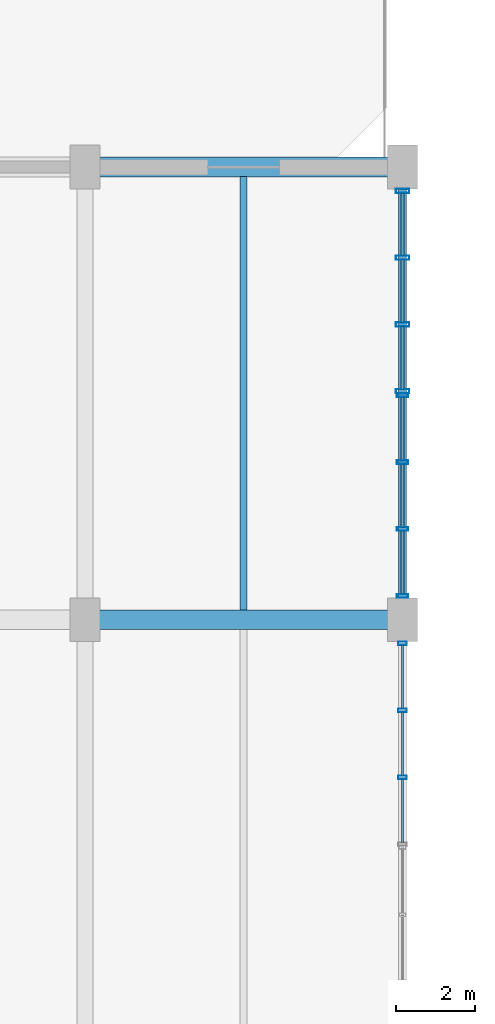
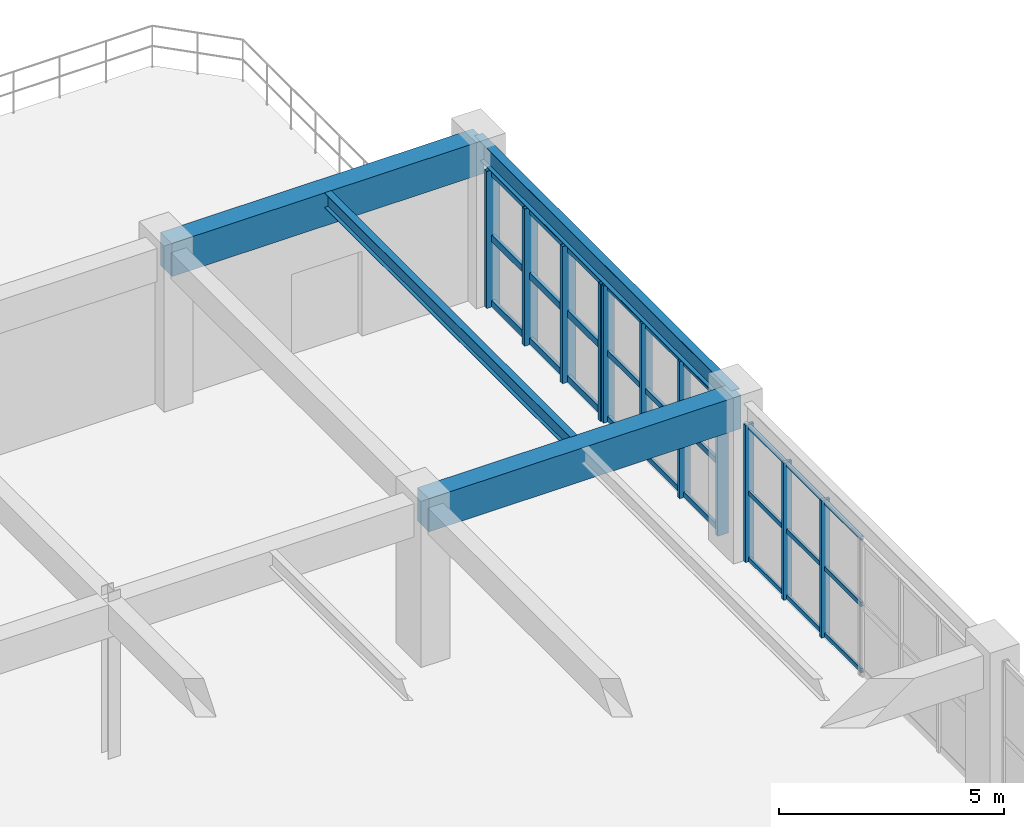
# One storey, part 36 of 80: 38 members, 4 beams, 3 elements without a shape of their own.
"""IFC4 building model written with IfcOpenShell, lengths in metres."""

from ifc_helpers import new_model, si_unit, direction, frame, origin, origin_2d, place, context, subcontext, project, spatial, rectangle, hollow_rectangle, i_section, extrude, material, layer, layer_set, material_profile, profile_set, type_object, element, aggregate, save


model = new_model("IFC4")

# Units and contexts
model_context = context("Model", 3, precision=1e-05, world=origin(), true_north=direction((0.0, 1.0)))
body_context = subcontext(model_context, "Body", "Model", "MODEL_VIEW")
ifc_project = project(units=[si_unit("LENGTHUNIT", "METRE"), si_unit("AREAUNIT", "SQUARE_METRE"), si_unit("VOLUMEUNIT", "CUBIC_METRE"), si_unit("PLANEANGLEUNIT", "RADIAN"), si_unit("MASSUNIT", "GRAM", prefix="KILO"), si_unit("POWERUNIT", "WATT"), si_unit("THERMODYNAMICTEMPERATUREUNIT", "KELVIN")], contexts=[model_context])

# Site, building, storey
site_placement = place(None, origin())
site = spatial("IfcSite", under=ifc_project, at=site_placement, CompositionType="ELEMENT")
building_placement = place(site_placement, origin())
building = spatial("IfcBuilding", under=site, at=building_placement, Name="Kelmbourne Parkland Aquatics Centre", CompositionType="ELEMENT")
storey_placement = place(building_placement, frame((0.0, 0.0, 10.199951171875)))
storey = spatial("IfcBuildingStorey", under=building, at=storey_placement, Name="L02", CompositionType="ELEMENT", Elevation=10.199951171875)

# Beams
ifc_material_1 = material(Name="Concrete C40/50", Category="concrete")
ifc_material_profile_1 = material_profile(ifc_material_1, rectangle(XDim=0.5, YDim=0.89990234375, at=origin_2d()), Name="RC 500x900")
ifc_profile_set_1 = profile_set([ifc_material_profile_1], Name="Concrete C40/50")
beam_type_1 = type_object("IfcBeamType", Name="BM-G03", PredefinedType="BEAM", material=ifc_profile_set_1)
for number, where, z_axis, x_axis, name in (
    (1, (32.0, 69.199951171875, 3.81005859375), (1.0, 0.0, 0.0), (0.0, 1.0, 0.0), "Primary girder E-F Grid 10 (L03)"),
    (2, (32.0, 80.60009765625, 3.81005859375), (1.0, 0.0, 0.0), (0.0, 1.0, 0.0), "Primary girder E-F Grid 11 (L03)"),
):
    element("IfcBeam", number, at=place(storey_placement, frame(where, z_axis=z_axis, x_axis=x_axis)), inside=storey, type_object=beam_type_1, Name=name, PredefinedType="BEAM", context=body_context, shape_type="SweptSolid", body=[
        extrude(rectangle(XDim=0.5, YDim=0.89990234375, at=origin_2d()), origin(), (0.0, 0.0, 1.0), 8.0),
    ])
ifc_material_2 = material(Name="Structural steel AS/NZS 3679.1 Grade 300", Category="steel")
ifc_material_profile_2 = material_profile(ifc_material_2, i_section(OverallWidth=0.177978515625, OverallDepth=0.406005859375, WebThickness=0.0078125, FlangeThickness=0.0126953125, at=origin_2d()), Name="410UB59.7")
ifc_profile_set_2 = profile_set([ifc_material_profile_2], Name="Structural steel AS/NZS 3679.1 Grade 300")
beam_type_2 = type_object("IfcBeamType", Name="BM-J01", PredefinedType="JOIST", material=ifc_profile_set_2)
beam_1_placement = place(storey_placement, frame((36.0, 69.44189453125, 4.05712890625), z_axis=(0.0, 1.0, 0.0), x_axis=(-1.0, 0.0, 0.0)))
element("IfcBeam", 3, at=beam_1_placement, inside=storey, type_object=beam_type_2, Name="Secondary floor joist E-F/10-11 #1 (L03)", PredefinedType="JOIST", context=body_context, shape_type="SweptSolid", body=[
    extrude(i_section(OverallWidth=0.177978515625, OverallDepth=0.406005859375, WebThickness=0.0078125, FlangeThickness=0.0126953125, at=origin_2d()), origin(), (0.0, 0.0, 1.0), 10.916015625),
])
ifc_material_profile_3 = material_profile(ifc_material_2, i_section(OverallWidth=0.208984375, OverallDepth=0.532958984375, WebThickness=0.01025390625, FlangeThickness=0.015625, at=origin_2d()), Name="530UB92.4")
ifc_profile_set_3 = profile_set([ifc_material_profile_3], Name="Structural steel AS/NZS 3679.1 Grade 300")
beam_type_3 = type_object("IfcBeamType", Name="BM-SP02", PredefinedType="SPANDREL", material=ifc_profile_set_3)
beam_2_placement = place(storey_placement, frame((40.0, 69.199951171875, 3.99365234375), z_axis=(0.0, 1.0, 0.0), x_axis=(-1.0, 0.0, 0.0)))
element("IfcBeam", 4, at=beam_2_placement, inside=storey, type_object=beam_type_3, Name="Perimeter spandrel 10-11 Grid F (L03)", PredefinedType="SPANDREL", context=body_context, shape_type="SweptSolid", body=[
    extrude(i_section(OverallWidth=0.208984375, OverallDepth=0.532958984375, WebThickness=0.01025390625, FlangeThickness=0.015625, at=origin_2d()), origin(), (0.0, 0.0, 1.0), 11.400146484375),
])

# Curtain wall, members
ifc_material_3 = material(Name="Thermally broken anodised aluminium framing", Category="aluminium")
ifc_layer_1 = layer(ifc_material_3, 0.179931640625)
ifc_layer_set_1 = layer_set([ifc_layer_1], Name="Thermally broken anodised aluminium framing")
curtain_wall_type_1 = type_object("IfcCurtainWallType", Name="CW-12", PredefinedType="NOTDEFINED", material=ifc_layer_set_1)
curtain_wall_1_placement = place(storey_placement, origin())
curtain_wall_1 = element("IfcCurtainWall", 5, at=curtain_wall_1_placement, inside=storey, type_object=curtain_wall_type_1, Name="Facade curtain wall CW-L02-252", PredefinedType="NOTDEFINED")
ifc_material_profile_4 = material_profile(ifc_material_3, hollow_rectangle(XDim=0.0849609375, YDim=0.219970703125, WallThickness=0.0048828125, at=origin_2d()), Name="CW-M 85x220")
ifc_profile_set_4 = profile_set([ifc_material_profile_4], Name="Thermally broken anodised aluminium framing")
member_type_1 = type_object("IfcMemberType", Name="MB-MUL-3", PredefinedType="MULLION", material=ifc_profile_set_4)
member_1_placement = place(storey_placement, frame((40.0, 65.230224609375, 0.0), z_axis=(0.0, 0.0, 1.0), x_axis=(0.0, 1.0, 0.0)))
member_1 = element("IfcMember", 6, at=member_1_placement, type_object=member_type_1, Name="CW-L02-252 mullion 1", PredefinedType="MULLION", context=body_context, shape_type="SweptSolid", body=[
    extrude(hollow_rectangle(XDim=0.0849609375, YDim=0.219970703125, WallThickness=0.0048828125, at=origin_2d()), origin(), (0.0, 0.0, 1.0), 3.712158203125),
])
member_2_placement = place(storey_placement, frame((40.0, 66.917724609375, 0.0), z_axis=(0.0, 0.0, 1.0), x_axis=(0.0, 1.0, 0.0)))
member_2 = element("IfcMember", 7, at=member_2_placement, type_object=member_type_1, Name="CW-L02-252 mullion 2", PredefinedType="MULLION", context=body_context, shape_type="SweptSolid", body=[
    extrude(hollow_rectangle(XDim=0.0849609375, YDim=0.219970703125, WallThickness=0.0048828125, at=origin_2d()), origin(), (0.0, 0.0, 1.0), 3.712158203125),
])
member_3_placement = place(storey_placement, frame((40.0, 68.60546875, 0.0), z_axis=(0.0, 0.0, 1.0), x_axis=(0.0, 1.0, 0.0)))
member_3 = element("IfcMember", 8, at=member_3_placement, type_object=member_type_1, Name="CW-L02-252 mullion 3", PredefinedType="MULLION", context=body_context, shape_type="SweptSolid", body=[
    extrude(hollow_rectangle(XDim=0.0849609375, YDim=0.219970703125, WallThickness=0.0048828125, at=origin_2d()), origin(), (0.0, 0.0, 1.0), 3.712158203125),
])

ifc_layer_2 = layer(ifc_material_3, 0.179931640625)
ifc_layer_set_2 = layer_set([ifc_layer_2], Name="Thermally broken anodised aluminium framing")
curtain_wall_type_2 = type_object("IfcCurtainWallType", Name="CW-13", PredefinedType="NOTDEFINED", material=ifc_layer_set_2)
curtain_wall_2_placement = place(storey_placement, origin())
curtain_wall_2 = element("IfcCurtainWall", 9, at=curtain_wall_2_placement, inside=storey, type_object=curtain_wall_type_2, Name="Facade curtain wall CW-L02-253", PredefinedType="NOTDEFINED")
ifc_material_profile_5 = material_profile(ifc_material_3, hollow_rectangle(XDim=0.094970703125, YDim=0.280029296875, WallThickness=0.005615234375, at=origin_2d()), Name="CW-M 95x280")
ifc_profile_set_5 = profile_set([ifc_material_profile_5], Name="Thermally broken anodised aluminium framing")
member_type_2 = type_object("IfcMemberType", Name="MB-MUL-4", PredefinedType="MULLION", material=ifc_profile_set_5)
member_4_placement = place(storey_placement, frame((40.0, 69.799560546875, 0.0), z_axis=(0.0, 0.0, 1.0), x_axis=(0.0, 1.0, 0.0)))
member_4 = element("IfcMember", 10, at=member_4_placement, type_object=member_type_2, Name="CW-L02-253 mullion 0", PredefinedType="MULLION", context=body_context, shape_type="SweptSolid", body=[
    extrude(hollow_rectangle(XDim=0.094970703125, YDim=0.280029296875, WallThickness=0.005615234375, at=origin_2d()), origin(), (0.0, 0.0, 1.0), 3.712158203125),
])
member_5_placement = place(storey_placement, frame((40.0, 71.48388671875, 0.0), z_axis=(0.0, 0.0, 1.0), x_axis=(0.0, 1.0, 0.0)))
member_5 = element("IfcMember", 11, at=member_5_placement, type_object=member_type_2, Name="CW-L02-253 mullion 1", PredefinedType="MULLION", context=body_context, shape_type="SweptSolid", body=[
    extrude(hollow_rectangle(XDim=0.094970703125, YDim=0.280029296875, WallThickness=0.005615234375, at=origin_2d()), origin(), (0.0, 0.0, 1.0), 3.712158203125),
])
member_6_placement = place(storey_placement, frame((40.0, 73.168212890625, 0.0), z_axis=(0.0, 0.0, 1.0), x_axis=(0.0, 1.0, 0.0)))
member_6 = element("IfcMember", 12, at=member_6_placement, type_object=member_type_2, Name="CW-L02-253 mullion 2", PredefinedType="MULLION", context=body_context, shape_type="SweptSolid", body=[
    extrude(hollow_rectangle(XDim=0.094970703125, YDim=0.280029296875, WallThickness=0.005615234375, at=origin_2d()), origin(), (0.0, 0.0, 1.0), 3.712158203125),
])
member_7_placement = place(storey_placement, frame((40.0, 74.8525390625, 0.0), z_axis=(0.0, 0.0, 1.0), x_axis=(0.0, 1.0, 0.0)))
member_7 = element("IfcMember", 13, at=member_7_placement, type_object=member_type_2, Name="CW-L02-253 mullion 3", PredefinedType="MULLION", context=body_context, shape_type="SweptSolid", body=[
    extrude(hollow_rectangle(XDim=0.094970703125, YDim=0.280029296875, WallThickness=0.005615234375, at=origin_2d()), origin(), (0.0, 0.0, 1.0), 3.712158203125),
])

ifc_layer_3 = layer(ifc_material_3, 0.179931640625)
ifc_layer_set_3 = layer_set([ifc_layer_3], Name="Thermally broken anodised aluminium framing")
curtain_wall_type_3 = type_object("IfcCurtainWallType", Name="CW-14", PredefinedType="NOTDEFINED", material=ifc_layer_set_3)
curtain_wall_3_placement = place(storey_placement, origin())
curtain_wall_3 = element("IfcCurtainWall", 14, at=curtain_wall_3_placement, inside=storey, type_object=curtain_wall_type_3, Name="Facade curtain wall CW-L02-254", PredefinedType="NOTDEFINED")
ifc_material_profile_6 = material_profile(ifc_material_3, hollow_rectangle(XDim=0.10498046875, YDim=0.340087890625, WallThickness=0.006103515625, at=origin_2d()), Name="CW-M 105x340")
ifc_profile_set_6 = profile_set([ifc_material_profile_6], Name="Thermally broken anodised aluminium framing")
member_type_3 = type_object("IfcMemberType", Name="MB-MUL-5", PredefinedType="MULLION", material=ifc_profile_set_6)
member_8_placement = place(storey_placement, frame((40.0, 74.952392578125, 0.0), z_axis=(0.0, 0.0, 1.0), x_axis=(0.0, 1.0, 0.0)))
member_8 = element("IfcMember", 15, at=member_8_placement, type_object=member_type_3, Name="CW-L02-254 mullion 0", PredefinedType="MULLION", context=body_context, shape_type="SweptSolid", body=[
    extrude(hollow_rectangle(XDim=0.10498046875, YDim=0.340087890625, WallThickness=0.006103515625, at=origin_2d()), origin(), (0.0, 0.0, 1.0), 3.712158203125),
])
member_9_placement = place(storey_placement, frame((40.0, 76.633544921875, 0.0), z_axis=(0.0, 0.0, 1.0), x_axis=(0.0, 1.0, 0.0)))
member_9 = element("IfcMember", 16, at=member_9_placement, type_object=member_type_3, Name="CW-L02-254 mullion 1", PredefinedType="MULLION", context=body_context, shape_type="SweptSolid", body=[
    extrude(hollow_rectangle(XDim=0.10498046875, YDim=0.340087890625, WallThickness=0.006103515625, at=origin_2d()), origin(), (0.0, 0.0, 1.0), 3.712158203125),
])
member_10_placement = place(storey_placement, frame((40.0, 78.314453125, 0.0), z_axis=(0.0, 0.0, 1.0), x_axis=(0.0, 1.0, 0.0)))
member_10 = element("IfcMember", 17, at=member_10_placement, type_object=member_type_3, Name="CW-L02-254 mullion 2", PredefinedType="MULLION", context=body_context, shape_type="SweptSolid", body=[
    extrude(hollow_rectangle(XDim=0.10498046875, YDim=0.340087890625, WallThickness=0.006103515625, at=origin_2d()), origin(), (0.0, 0.0, 1.0), 3.712158203125),
])
member_11_placement = place(storey_placement, frame((40.0, 79.99560546875, 0.0), z_axis=(0.0, 0.0, 1.0), x_axis=(0.0, 1.0, 0.0)))
member_11 = element("IfcMember", 18, at=member_11_placement, type_object=member_type_3, Name="CW-L02-254 mullion 3", PredefinedType="MULLION", context=body_context, shape_type="SweptSolid", body=[
    extrude(hollow_rectangle(XDim=0.10498046875, YDim=0.340087890625, WallThickness=0.006103515625, at=origin_2d()), origin(), (0.0, 0.0, 1.0), 3.712158203125),
])

# Member
ifc_material_profile_7 = material_profile(ifc_material_3, hollow_rectangle(XDim=0.06494140625, YDim=0.1201171875, WallThickness=0.00341796875, at=origin_2d()), Name="CW-T 65x120")
ifc_profile_set_7 = profile_set([ifc_material_profile_7], Name="Thermally broken anodised aluminium framing")
member_type_4 = type_object("IfcMemberType", Name="MB-TRN-1", PredefinedType="USERDEFINED", material=ifc_profile_set_7)
member_12_placement = place(storey_placement, frame((40.0, 63.5810546875, 0.06298828125), z_axis=(0.0, 1.0, 0.0), x_axis=(-1.0, 0.0, 0.0)))
member_12 = element("IfcMember", 19, at=member_12_placement, type_object=member_type_4, Name="CW-L02-252 transom 0-0", ObjectType="TRANSOM", PredefinedType="USERDEFINED", context=body_context, shape_type="SweptSolid", body=[
    extrude(hollow_rectangle(XDim=0.06494140625, YDim=0.1201171875, WallThickness=0.00341796875, at=origin_2d()), origin(), (0.0, 0.0, 1.0), 1.610595703125),
])

member_13_placement = place(storey_placement, frame((40.0, 65.268798828125, 0.06298828125), z_axis=(0.0, 1.0, 0.0), x_axis=(-1.0, 0.0, 0.0)))
member_13 = element("IfcMember", 20, at=member_13_placement, type_object=member_type_4, Name="CW-L02-252 transom 0-1", ObjectType="TRANSOM", PredefinedType="USERDEFINED", context=body_context, shape_type="SweptSolid", body=[
    extrude(hollow_rectangle(XDim=0.06494140625, YDim=0.1201171875, WallThickness=0.00341796875, at=origin_2d()), origin(), (0.0, 0.0, 1.0), 1.610595703125),
])

member_14_placement = place(storey_placement, frame((40.0, 66.956298828125, 0.06298828125), z_axis=(0.0, 1.0, 0.0), x_axis=(-1.0, 0.0, 0.0)))
member_14 = element("IfcMember", 21, at=member_14_placement, type_object=member_type_4, Name="CW-L02-252 transom 0-2", ObjectType="TRANSOM", PredefinedType="USERDEFINED", context=body_context, shape_type="SweptSolid", body=[
    extrude(hollow_rectangle(XDim=0.06494140625, YDim=0.1201171875, WallThickness=0.00341796875, at=origin_2d()), origin(), (0.0, 0.0, 1.0), 1.610595703125),
])

member_15_placement = place(storey_placement, frame((40.0, 63.5810546875, 1.85595703125), z_axis=(0.0, 1.0, 0.0), x_axis=(-1.0, 0.0, 0.0)))
member_15 = element("IfcMember", 22, at=member_15_placement, type_object=member_type_4, Name="CW-L02-252 transom 1-0", ObjectType="TRANSOM", PredefinedType="USERDEFINED", context=body_context, shape_type="SweptSolid", body=[
    extrude(hollow_rectangle(XDim=0.06494140625, YDim=0.1201171875, WallThickness=0.00341796875, at=origin_2d()), origin(), (0.0, 0.0, 1.0), 1.610595703125),
])

member_16_placement = place(storey_placement, frame((40.0, 65.268798828125, 1.85595703125), z_axis=(0.0, 1.0, 0.0), x_axis=(-1.0, 0.0, 0.0)))
member_16 = element("IfcMember", 23, at=member_16_placement, type_object=member_type_4, Name="CW-L02-252 transom 1-1", ObjectType="TRANSOM", PredefinedType="USERDEFINED", context=body_context, shape_type="SweptSolid", body=[
    extrude(hollow_rectangle(XDim=0.06494140625, YDim=0.1201171875, WallThickness=0.00341796875, at=origin_2d()), origin(), (0.0, 0.0, 1.0), 1.610595703125),
])

member_17_placement = place(storey_placement, frame((40.0, 66.956298828125, 1.85595703125), z_axis=(0.0, 1.0, 0.0), x_axis=(-1.0, 0.0, 0.0)))
member_17 = element("IfcMember", 24, at=member_17_placement, type_object=member_type_4, Name="CW-L02-252 transom 1-2", ObjectType="TRANSOM", PredefinedType="USERDEFINED", context=body_context, shape_type="SweptSolid", body=[
    extrude(hollow_rectangle(XDim=0.06494140625, YDim=0.1201171875, WallThickness=0.00341796875, at=origin_2d()), origin(), (0.0, 0.0, 1.0), 1.610595703125),
])

member_18_placement = place(storey_placement, frame((40.0, 63.5810546875, 3.649169921875), z_axis=(0.0, 1.0, 0.0), x_axis=(-1.0, 0.0, 0.0)))
member_18 = element("IfcMember", 25, at=member_18_placement, type_object=member_type_4, Name="CW-L02-252 transom 2-0", ObjectType="TRANSOM", PredefinedType="USERDEFINED", context=body_context, shape_type="SweptSolid", body=[
    extrude(hollow_rectangle(XDim=0.06494140625, YDim=0.1201171875, WallThickness=0.00341796875, at=origin_2d()), origin(), (0.0, 0.0, 1.0), 1.610595703125),
])

member_19_placement = place(storey_placement, frame((40.0, 65.268798828125, 3.649169921875), z_axis=(0.0, 1.0, 0.0), x_axis=(-1.0, 0.0, 0.0)))
member_19 = element("IfcMember", 26, at=member_19_placement, type_object=member_type_4, Name="CW-L02-252 transom 2-1", ObjectType="TRANSOM", PredefinedType="USERDEFINED", context=body_context, shape_type="SweptSolid", body=[
    extrude(hollow_rectangle(XDim=0.06494140625, YDim=0.1201171875, WallThickness=0.00341796875, at=origin_2d()), origin(), (0.0, 0.0, 1.0), 1.610595703125),
])

member_20_placement = place(storey_placement, frame((40.0, 66.956298828125, 3.649169921875), z_axis=(0.0, 1.0, 0.0), x_axis=(-1.0, 0.0, 0.0)))
member_20 = element("IfcMember", 27, at=member_20_placement, type_object=member_type_4, Name="CW-L02-252 transom 2-2", ObjectType="TRANSOM", PredefinedType="USERDEFINED", context=body_context, shape_type="SweptSolid", body=[
    extrude(hollow_rectangle(XDim=0.06494140625, YDim=0.1201171875, WallThickness=0.00341796875, at=origin_2d()), origin(), (0.0, 0.0, 1.0), 1.610595703125),
])

aggregate(curtain_wall_1, [member_1, member_2, member_3, member_12, member_13, member_14, member_15, member_16, member_17, member_18, member_19, member_20])

ifc_material_profile_8 = material_profile(ifc_material_3, hollow_rectangle(XDim=0.074951171875, YDim=0.14990234375, WallThickness=0.00390625, at=origin_2d()), Name="CW-T 75x150")
ifc_profile_set_8 = profile_set([ifc_material_profile_8], Name="Thermally broken anodised aluminium framing")
member_type_5 = type_object("IfcMemberType", Name="MB-TRN-2", PredefinedType="USERDEFINED", material=ifc_profile_set_8)
member_21_placement = place(storey_placement, frame((40.0, 69.843017578125, 0.078125), z_axis=(0.0, 1.0, 0.0), x_axis=(-1.0, 0.0, 0.0)))
member_21 = element("IfcMember", 28, at=member_21_placement, type_object=member_type_5, Name="CW-L02-253 transom 0-0", ObjectType="TRANSOM", PredefinedType="USERDEFINED", context=body_context, shape_type="SweptSolid", body=[
    extrude(hollow_rectangle(XDim=0.074951171875, YDim=0.14990234375, WallThickness=0.00390625, at=origin_2d()), origin(), (0.0, 0.0, 1.0), 1.59716796875),
])

member_22_placement = place(storey_placement, frame((40.0, 71.52734375, 0.078125), z_axis=(0.0, 1.0, 0.0), x_axis=(-1.0, 0.0, 0.0)))
member_22 = element("IfcMember", 29, at=member_22_placement, type_object=member_type_5, Name="CW-L02-253 transom 0-1", ObjectType="TRANSOM", PredefinedType="USERDEFINED", context=body_context, shape_type="SweptSolid", body=[
    extrude(hollow_rectangle(XDim=0.074951171875, YDim=0.14990234375, WallThickness=0.00390625, at=origin_2d()), origin(), (0.0, 0.0, 1.0), 1.597412109375),
])

member_23_placement = place(storey_placement, frame((40.0, 73.211669921875, 0.078125), z_axis=(0.0, 1.0, 0.0), x_axis=(-1.0, 0.0, 0.0)))
member_23 = element("IfcMember", 30, at=member_23_placement, type_object=member_type_5, Name="CW-L02-253 transom 0-2", ObjectType="TRANSOM", PredefinedType="USERDEFINED", context=body_context, shape_type="SweptSolid", body=[
    extrude(hollow_rectangle(XDim=0.074951171875, YDim=0.14990234375, WallThickness=0.00390625, at=origin_2d()), origin(), (0.0, 0.0, 1.0), 1.597412109375),
])

member_24_placement = place(storey_placement, frame((40.0, 69.843017578125, 1.85595703125), z_axis=(0.0, 1.0, 0.0), x_axis=(-1.0, 0.0, 0.0)))
member_24 = element("IfcMember", 31, at=member_24_placement, type_object=member_type_5, Name="CW-L02-253 transom 1-0", ObjectType="TRANSOM", PredefinedType="USERDEFINED", context=body_context, shape_type="SweptSolid", body=[
    extrude(hollow_rectangle(XDim=0.074951171875, YDim=0.14990234375, WallThickness=0.00390625, at=origin_2d()), origin(), (0.0, 0.0, 1.0), 1.59716796875),
])

member_25_placement = place(storey_placement, frame((40.0, 71.52734375, 1.85595703125), z_axis=(0.0, 1.0, 0.0), x_axis=(-1.0, 0.0, 0.0)))
member_25 = element("IfcMember", 32, at=member_25_placement, type_object=member_type_5, Name="CW-L02-253 transom 1-1", ObjectType="TRANSOM", PredefinedType="USERDEFINED", context=body_context, shape_type="SweptSolid", body=[
    extrude(hollow_rectangle(XDim=0.074951171875, YDim=0.14990234375, WallThickness=0.00390625, at=origin_2d()), origin(), (0.0, 0.0, 1.0), 1.597412109375),
])

member_26_placement = place(storey_placement, frame((40.0, 73.211669921875, 1.85595703125), z_axis=(0.0, 1.0, 0.0), x_axis=(-1.0, 0.0, 0.0)))
member_26 = element("IfcMember", 33, at=member_26_placement, type_object=member_type_5, Name="CW-L02-253 transom 1-2", ObjectType="TRANSOM", PredefinedType="USERDEFINED", context=body_context, shape_type="SweptSolid", body=[
    extrude(hollow_rectangle(XDim=0.074951171875, YDim=0.14990234375, WallThickness=0.00390625, at=origin_2d()), origin(), (0.0, 0.0, 1.0), 1.597412109375),
])

member_27_placement = place(storey_placement, frame((40.0, 69.843017578125, 3.634033203125), z_axis=(0.0, 1.0, 0.0), x_axis=(-1.0, 0.0, 0.0)))
member_27 = element("IfcMember", 34, at=member_27_placement, type_object=member_type_5, Name="CW-L02-253 transom 2-0", ObjectType="TRANSOM", PredefinedType="USERDEFINED", context=body_context, shape_type="SweptSolid", body=[
    extrude(hollow_rectangle(XDim=0.074951171875, YDim=0.14990234375, WallThickness=0.00390625, at=origin_2d()), origin(), (0.0, 0.0, 1.0), 1.59716796875),
])

member_28_placement = place(storey_placement, frame((40.0, 71.52734375, 3.634033203125), z_axis=(0.0, 1.0, 0.0), x_axis=(-1.0, 0.0, 0.0)))
member_28 = element("IfcMember", 35, at=member_28_placement, type_object=member_type_5, Name="CW-L02-253 transom 2-1", ObjectType="TRANSOM", PredefinedType="USERDEFINED", context=body_context, shape_type="SweptSolid", body=[
    extrude(hollow_rectangle(XDim=0.074951171875, YDim=0.14990234375, WallThickness=0.00390625, at=origin_2d()), origin(), (0.0, 0.0, 1.0), 1.597412109375),
])

member_29_placement = place(storey_placement, frame((40.0, 73.211669921875, 3.634033203125), z_axis=(0.0, 1.0, 0.0), x_axis=(-1.0, 0.0, 0.0)))
member_29 = element("IfcMember", 36, at=member_29_placement, type_object=member_type_5, Name="CW-L02-253 transom 2-2", ObjectType="TRANSOM", PredefinedType="USERDEFINED", context=body_context, shape_type="SweptSolid", body=[
    extrude(hollow_rectangle(XDim=0.074951171875, YDim=0.14990234375, WallThickness=0.00390625, at=origin_2d()), origin(), (0.0, 0.0, 1.0), 1.597412109375),
])

aggregate(curtain_wall_2, [member_4, member_5, member_6, member_7, member_21, member_22, member_23, member_24, member_25, member_26, member_27, member_28, member_29])

ifc_material_profile_9 = material_profile(ifc_material_3, hollow_rectangle(XDim=0.0849609375, YDim=0.179931640625, WallThickness=0.00439453125, at=origin_2d()), Name="CW-T 85x180")
ifc_profile_set_9 = profile_set([ifc_material_profile_9], Name="Thermally broken anodised aluminium framing")
member_type_6 = type_object("IfcMemberType", Name="MB-TRN-3", PredefinedType="USERDEFINED", material=ifc_profile_set_9)
member_30_placement = place(storey_placement, frame((40.0, 75.0009765625, 0.093017578125), z_axis=(0.0, 1.0, 0.0), x_axis=(-1.0, 0.0, 0.0)))
member_30 = element("IfcMember", 37, at=member_30_placement, type_object=member_type_6, Name="CW-L02-254 transom 0-0", ObjectType="TRANSOM", PredefinedType="USERDEFINED", context=body_context, shape_type="SweptSolid", body=[
    extrude(hollow_rectangle(XDim=0.0849609375, YDim=0.179931640625, WallThickness=0.00439453125, at=origin_2d()), origin(), (0.0, 0.0, 1.0), 1.583984375),
])

member_31_placement = place(storey_placement, frame((40.0, 76.681884765625, 0.093017578125), z_axis=(0.0, 1.0, 0.0), x_axis=(-1.0, 0.0, 0.0)))
member_31 = element("IfcMember", 38, at=member_31_placement, type_object=member_type_6, Name="CW-L02-254 transom 0-1", ObjectType="TRANSOM", PredefinedType="USERDEFINED", context=body_context, shape_type="SweptSolid", body=[
    extrude(hollow_rectangle(XDim=0.0849609375, YDim=0.179931640625, WallThickness=0.00439453125, at=origin_2d()), origin(), (0.0, 0.0, 1.0), 1.584228515625),
])

member_32_placement = place(storey_placement, frame((40.0, 78.363037109375, 0.093017578125), z_axis=(0.0, 1.0, 0.0), x_axis=(-1.0, 0.0, 0.0)))
member_32 = element("IfcMember", 39, at=member_32_placement, type_object=member_type_6, Name="CW-L02-254 transom 0-2", ObjectType="TRANSOM", PredefinedType="USERDEFINED", context=body_context, shape_type="SweptSolid", body=[
    extrude(hollow_rectangle(XDim=0.0849609375, YDim=0.179931640625, WallThickness=0.00439453125, at=origin_2d()), origin(), (0.0, 0.0, 1.0), 1.583984375),
])

member_33_placement = place(storey_placement, frame((40.0, 75.0009765625, 1.85595703125), z_axis=(0.0, 1.0, 0.0), x_axis=(-1.0, 0.0, 0.0)))
member_33 = element("IfcMember", 40, at=member_33_placement, type_object=member_type_6, Name="CW-L02-254 transom 1-0", ObjectType="TRANSOM", PredefinedType="USERDEFINED", context=body_context, shape_type="SweptSolid", body=[
    extrude(hollow_rectangle(XDim=0.0849609375, YDim=0.179931640625, WallThickness=0.00439453125, at=origin_2d()), origin(), (0.0, 0.0, 1.0), 1.583984375),
])

member_34_placement = place(storey_placement, frame((40.0, 76.681884765625, 1.85595703125), z_axis=(0.0, 1.0, 0.0), x_axis=(-1.0, 0.0, 0.0)))
member_34 = element("IfcMember", 41, at=member_34_placement, type_object=member_type_6, Name="CW-L02-254 transom 1-1", ObjectType="TRANSOM", PredefinedType="USERDEFINED", context=body_context, shape_type="SweptSolid", body=[
    extrude(hollow_rectangle(XDim=0.0849609375, YDim=0.179931640625, WallThickness=0.00439453125, at=origin_2d()), origin(), (0.0, 0.0, 1.0), 1.584228515625),
])

member_35_placement = place(storey_placement, frame((40.0, 78.363037109375, 1.85595703125), z_axis=(0.0, 1.0, 0.0), x_axis=(-1.0, 0.0, 0.0)))
member_35 = element("IfcMember", 42, at=member_35_placement, type_object=member_type_6, Name="CW-L02-254 transom 1-2", ObjectType="TRANSOM", PredefinedType="USERDEFINED", context=body_context, shape_type="SweptSolid", body=[
    extrude(hollow_rectangle(XDim=0.0849609375, YDim=0.179931640625, WallThickness=0.00439453125, at=origin_2d()), origin(), (0.0, 0.0, 1.0), 1.583984375),
])

member_36_placement = place(storey_placement, frame((40.0, 75.0009765625, 3.619140625), z_axis=(0.0, 1.0, 0.0), x_axis=(-1.0, 0.0, 0.0)))
member_36 = element("IfcMember", 43, at=member_36_placement, type_object=member_type_6, Name="CW-L02-254 transom 2-0", ObjectType="TRANSOM", PredefinedType="USERDEFINED", context=body_context, shape_type="SweptSolid", body=[
    extrude(hollow_rectangle(XDim=0.0849609375, YDim=0.179931640625, WallThickness=0.00439453125, at=origin_2d()), origin(), (0.0, 0.0, 1.0), 1.583984375),
])

member_37_placement = place(storey_placement, frame((40.0, 76.681884765625, 3.619140625), z_axis=(0.0, 1.0, 0.0), x_axis=(-1.0, 0.0, 0.0)))
member_37 = element("IfcMember", 44, at=member_37_placement, type_object=member_type_6, Name="CW-L02-254 transom 2-1", ObjectType="TRANSOM", PredefinedType="USERDEFINED", context=body_context, shape_type="SweptSolid", body=[
    extrude(hollow_rectangle(XDim=0.0849609375, YDim=0.179931640625, WallThickness=0.00439453125, at=origin_2d()), origin(), (0.0, 0.0, 1.0), 1.584228515625),
])

member_38_placement = place(storey_placement, frame((40.0, 78.363037109375, 3.619140625), z_axis=(0.0, 1.0, 0.0), x_axis=(-1.0, 0.0, 0.0)))
member_38 = element("IfcMember", 45, at=member_38_placement, type_object=member_type_6, Name="CW-L02-254 transom 2-2", ObjectType="TRANSOM", PredefinedType="USERDEFINED", context=body_context, shape_type="SweptSolid", body=[
    extrude(hollow_rectangle(XDim=0.0849609375, YDim=0.179931640625, WallThickness=0.00439453125, at=origin_2d()), origin(), (0.0, 0.0, 1.0), 1.583984375),
])

aggregate(curtain_wall_3, [member_8, member_9, member_10, member_11, member_30, member_31, member_32, member_33, member_34, member_35, member_36, member_37, member_38])

save(model, "model.ifc")
